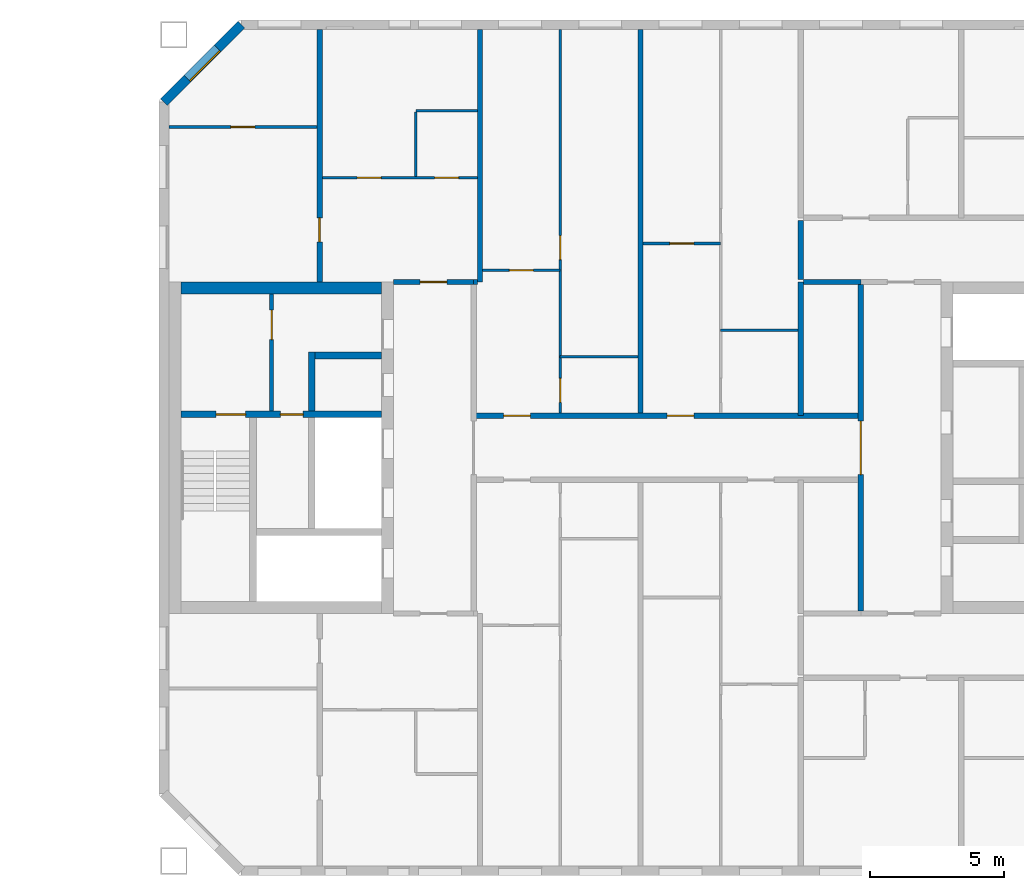
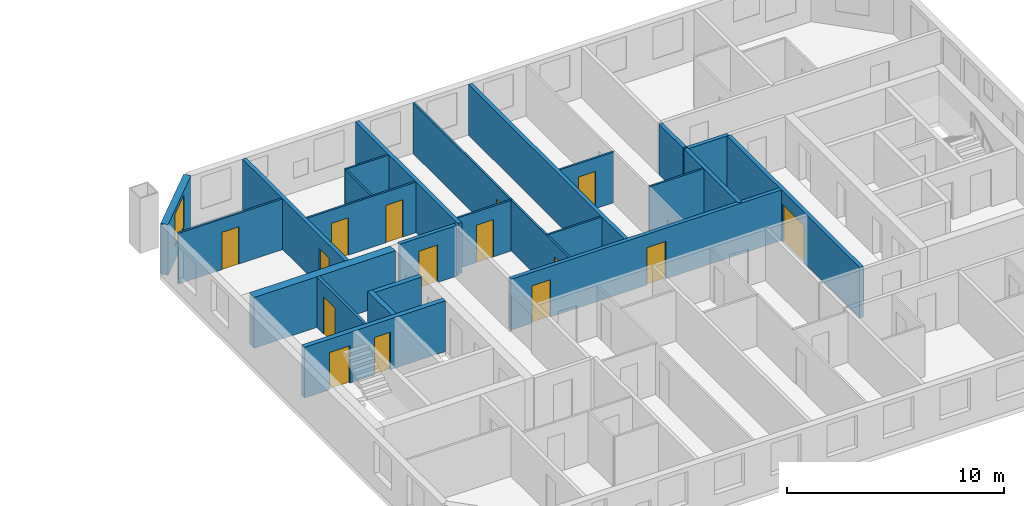
# One storey, part 11 of 16: 25 walls, 15 doors, 1 window, 16 openings.
"""IFC4 building model written with IfcOpenShell, lengths in metres."""

import ifcopenshell
import ifcopenshell.guid

model = None  # the IFC model being written
_history = None  # IfcOwnerHistory: only IFC2X3 demands one
_inside = {}  # id of a spatial element -> (the spatial element, [elements in it])
_under = {}  # id of a project, library or spatial element -> (it, [spatial elements below it])
_declared = {}  # id of a project -> (the project, [libraries it declares])
_typed = {}  # id of a type object -> (the type object, [elements of that type])
_made_of = {}  # id of a material, layer set ... -> (it, [elements and type objects made of it])


def new_model(schema):
    """Start an empty IFC model of exactly this schema.

    Asked for "IFC4X3", IfcOpenShell would pick the latest addendum, in which some entities
    have other attributes; the version numbers below select the first issue.
    IFC2X3 requires an IfcOwnerHistory on every rooted entity: one is made here for all.
    """
    global model, _history
    if schema == "IFC4X3":
        model = ifcopenshell.file(schema_version=(4, 3, 0, 0))
    else:
        model = ifcopenshell.file(schema=schema)
    _inside.clear()
    _under.clear()
    _declared.clear()
    _typed.clear()
    _made_of.clear()
    _history = None
    if model.schema == "IFC2X3":
        org = make("IfcOrganization", Name="unknown")
        user = make(
            "IfcPersonAndOrganization",
            ThePerson=make("IfcPerson", FamilyName="unknown"),
            TheOrganization=org,
        )
        app = make(
            "IfcApplication",
            ApplicationDeveloper=org,
            Version="unknown",
            ApplicationFullName="unknown",
            ApplicationIdentifier="unknown",
        )
        _history = make(
            "IfcOwnerHistory",
            OwningUser=user,
            OwningApplication=app,
            ChangeAction="ADDED",
            CreationDate=0,
        )
    return model


def make(cls, **values):
    """One entity of the class cls with the attributes given. An attribute that is None is left unset."""
    return model.create_entity(
        cls, **{name: value for name, value in values.items() if value is not None}
    )


def rooted(cls, **values):
    """An entity with a GlobalId (a new one), such as an element, a storey or a relation."""
    return make(cls, GlobalId=ifcopenshell.guid.new(), OwnerHistory=_history, **values)


def si_unit(unit_type, name, prefix=None):
    """IfcSIUnit, for example si_unit("LENGTHUNIT", "METRE", prefix="MILLI")."""
    return make("IfcSIUnit", UnitType=unit_type, Prefix=prefix, Name=name)


def assignment(units):
    """IfcUnitAssignment: the units of a project."""
    return None if units is None else make("IfcUnitAssignment", Units=units)


def point(xyz):
    """IfcCartesianPoint."""
    return None if xyz is None else make("IfcCartesianPoint", Coordinates=xyz)


def direction(xyz):
    """IfcDirection."""
    return None if xyz is None else make("IfcDirection", DirectionRatios=xyz)


def frame(location, z_axis=None, x_axis=None):
    """IfcAxis2Placement3D, a coordinate frame: its origin and axes. An axis left out is left unset."""
    return make(
        "IfcAxis2Placement3D",
        Location=point(location),
        Axis=direction(z_axis),
        RefDirection=direction(x_axis),
    )


def frame_2d(location, x_axis=None):
    """IfcAxis2Placement2D, a coordinate frame in the plane: its origin and x axis."""
    return make(
        "IfcAxis2Placement2D", Location=point(location), RefDirection=direction(x_axis)
    )


def origin():
    """The frame at (0, 0, 0) with its axes left unset."""
    return frame((0.0, 0.0, 0.0))


def place(relative_to, where):
    """IfcLocalPlacement: puts the frame where relative to a parent placement (None: the world)."""
    return make(
        "IfcLocalPlacement", PlacementRelTo=relative_to, RelativePlacement=where
    )


def context(
    kind, dimensions, precision=None, world=None, true_north=None, identifier=None
):
    """IfcGeometricRepresentationContext, for example the 3D "Model" context."""
    return make(
        "IfcGeometricRepresentationContext",
        ContextIdentifier=identifier,
        ContextType=kind,
        CoordinateSpaceDimension=dimensions,
        Precision=precision,
        WorldCoordinateSystem=world,
        TrueNorth=true_north,
    )


def subcontext(parent, identifier, kind, view, scale=None):
    """IfcGeometricRepresentationSubContext, for example "Body" below "Model"."""
    return make(
        "IfcGeometricRepresentationSubContext",
        ContextIdentifier=identifier,
        ContextType=kind,
        ParentContext=parent,
        TargetScale=scale,
        TargetView=view,
    )


def project(units=None, contexts=None):
    """IfcProject with its units and contexts."""
    return rooted(
        "IfcProject",
        Name="project",
        RepresentationContexts=contexts,
        UnitsInContext=assignment(units),
    )


def spatial(cls, under=None, at=None, **own):
    """A site, building, storey or space (cls), placed at a placement, below another one or the project."""
    s = rooted(cls, ObjectPlacement=at, **own)
    if under is not None:
        _under.setdefault(under.id(), (under, []))[1].append(s)
    return s


def profile(cls, at=None, kind="AREA", **sizes):
    """A parametric profile (cls). Its sizes go by their IFC names, for example OverallWidth=200.0."""
    return make(cls, ProfileType=kind, Position=at, **sizes)


def rectangle(**sizes):
    """IfcRectangleProfileDef."""
    return profile("IfcRectangleProfileDef", **sizes)


def extrude(swept, where, along, depth):
    """IfcExtrudedAreaSolid: the profile swept, set in the frame where, extruded along a direction by depth."""
    return make(
        "IfcExtrudedAreaSolid",
        SweptArea=swept,
        Position=where,
        ExtrudedDirection=direction(along),
        Depth=depth,
    )


def shape(context_of_items, identifier, shape_type, items):
    """IfcShapeRepresentation: the items that make up one representation, for example the "Body"."""
    return make(
        "IfcShapeRepresentation",
        ContextOfItems=context_of_items,
        RepresentationIdentifier=identifier,
        RepresentationType=shape_type,
        Items=items,
    )


def material(Name=None, Category=None):
    """IfcMaterial."""
    return make("IfcMaterial", Name=Name, Category=Category)


def layer(
    of_material, thickness, ventilated=None, Name=None, Category=None, Priority=None
):
    """IfcMaterialLayer: one layer of a wall or slab, of a material (None: an air gap)."""
    return make(
        "IfcMaterialLayer",
        Material=of_material,
        LayerThickness=thickness,
        IsVentilated=ventilated,
        Name=Name,
        Category=Category,
        Priority=Priority,
    )


def layer_set(layers, Name=None):
    """IfcMaterialLayerSet."""
    return make("IfcMaterialLayerSet", MaterialLayers=layers, LayerSetName=Name)


def made_of(thing, what):
    """Note that an element or type object is made of a material, layer set ...; save() writes the relation."""
    if what is not None:
        _made_of.setdefault(what.id(), (what, []))[1].append(thing)
    return thing


def type_object(cls, material=None, **own):
    """A type object (cls), such as IfcWallType, which elements share."""
    return made_of(rooted(cls, **own), material)


def element(
    cls,
    number,
    at=None,
    inside=None,
    cuts=None,
    type_object=None,
    material=None,
    context=None,
    identifier="Body",
    shape_type=None,
    held_by="IfcProductDefinitionShape",
    body=None,
    shapes=None,
    **own,
):
    """One element of the class cls, such as IfcWall. Its Tag is "e" and its number.

    at: its placement. inside: the storey or other place that contains it. cuts: it is an
    opening in that element (IfcRelVoidsElement). A single representation is given by context,
    identifier, shape_type and body (its items); several are given by shapes. held_by: the class
    of the entity that holds the representations. save() writes the other relations.
    """
    e = rooted(cls, Tag="e%d" % number, ObjectPlacement=at, **own)
    if body is not None:
        shapes = [shape(context, identifier, shape_type, body)]
    if shapes is not None:
        e.Representation = make(held_by, Representations=shapes)
    if inside is not None:
        _inside.setdefault(inside.id(), (inside, []))[1].append(e)
    if cuts is not None:
        rooted(
            "IfcRelVoidsElement", RelatingBuildingElement=cuts, RelatedOpeningElement=e
        )
    if type_object is not None:
        _typed.setdefault(type_object.id(), (type_object, []))[1].append(e)
    return made_of(e, material)


def fill(opening, filler):
    """IfcRelFillsElement: the door or window that sits in an opening."""
    return rooted(
        "IfcRelFillsElement",
        RelatingOpeningElement=opening,
        RelatedBuildingElement=filler,
    )


def aggregate(whole, parts):
    """IfcRelAggregates: a whole, such as a stair, and the parts it consists of."""
    return rooted("IfcRelAggregates", RelatingObject=whole, RelatedObjects=parts)


def save(model, path):
    """Write the relations noted so far, then the file.

    IfcRelAggregates (storeys below a building ...), IfcRelContainedInSpatialStructure (elements
    in a storey), IfcRelDefinesByType, IfcRelAssociatesMaterial and IfcRelDeclares: one each for
    every whole, place, type object, material and project.
    """
    for whole, parts in _under.values():
        aggregate(whole, parts)
    for where, things in _inside.values():
        rooted(
            "IfcRelContainedInSpatialStructure",
            RelatedElements=things,
            RelatingStructure=where,
        )
    for kind, things in _typed.values():
        rooted("IfcRelDefinesByType", RelatedObjects=things, RelatingType=kind)
    for what, things in _made_of.values():
        rooted("IfcRelAssociatesMaterial", RelatedObjects=things, RelatingMaterial=what)
    for by, libraries in _declared.values():
        rooted("IfcRelDeclares", RelatingContext=by, RelatedDefinitions=libraries)
    model.write(path)


model = new_model("IFC4")

# Units and contexts
model_context = context("Model", 3, precision=1e-05, world=origin(), true_north=direction((0.0, 1.0)))
body_context = subcontext(model_context, "Body", "Model", "MODEL_VIEW")
ifc_project = project(units=[si_unit("LENGTHUNIT", "METRE"), si_unit("AREAUNIT", "SQUARE_METRE"), si_unit("VOLUMEUNIT", "CUBIC_METRE"), si_unit("PLANEANGLEUNIT", "RADIAN"), si_unit("MASSUNIT", "GRAM", prefix="KILO")], contexts=[model_context])

# Site, building, storey
site_placement = place(None, origin())
site = spatial("IfcSite", under=ifc_project, at=site_placement, CompositionType="ELEMENT")
building_placement = place(site_placement, origin())
building = spatial("IfcBuilding", under=site, at=building_placement, Name="Tuart Gate Housing", CompositionType="ELEMENT")
storey_placement = place(building_placement, frame((0.0, 0.0, 178.89990234375)))
storey = spatial("IfcBuildingStorey", under=building, at=storey_placement, Name="L50", CompositionType="ELEMENT", Elevation=178.89990234375)

# Wall, opening, window
ifc_material_1 = material(Name="Brick", Category="masonry")
ifc_layer_1 = layer(ifc_material_1, 0.360107421875)
ifc_layer_set_1 = layer_set([ifc_layer_1], Name="Brick pier and spandrel wall 360")
wall_type_1 = type_object("IfcWallType", Name="Brick pier and spandrel wall 360", PredefinedType="STANDARD", material=ifc_layer_set_1)
wall_1_placement = place(storey_placement, frame((134.07470703125, 85.820068359375, 0.0), z_axis=(0.0, 0.0, 1.0), x_axis=(-0.707106781187, -0.707106781187, 0.0)))
wall_1 = element("IfcWall", 1, at=wall_1_placement, inside=storey, type_object=wall_type_1, Name="External wall B-NW L50", PredefinedType="STANDARD", context=body_context, shape_type="SweptSolid", body=[
    extrude(rectangle(XDim=4.09375, YDim=0.360107421875, at=frame_2d((2.046875, 0.0))), origin(), (0.0, 0.0, 1.0), 2.85009765625),
])
opening_1_placement = place(wall_1_placement, frame((1.2470703125, 0.0, 0.800048828125)))
opening_1 = element("IfcOpeningElement", 2, at=opening_1_placement, cuts=wall_1, Name="Opening W1", PredefinedType="OPENING", context=body_context, shape_type="SweptSolid", body=[
    extrude(rectangle(XDim=1.60009765625, YDim=1.800048828125, at=frame_2d((0.800048828125, 0.89990234375))), frame((0.0, 0.18994140625, 0.0), z_axis=(0.0, -1.0, 0.0), x_axis=(1.0, 0.0, 0.0)), (0.0, 0.0, 1.0), 0.380126953125),
])
ifc_material_2 = material(Name="Aluminium frame with clear glass", Category="aluminium")
window_type = type_object("IfcWindowType", Name="Punched window 1600 x 1800", PartitioningType="SINGLE_PANEL", PredefinedType="WINDOW", material=ifc_material_2)
window_placement = place(opening_1_placement, origin())
window = element("IfcWindow", 3, at=window_placement, inside=storey, type_object=window_type, Name="Window W1", OverallHeight=1.800048828125, OverallWidth=1.60009765625, PartitioningType="SINGLE_PANEL", PredefinedType="WINDOW", context=body_context, shape_type="SweptSolid", body=[
    extrude(rectangle(XDim=1.60009765625, YDim=1.800048828125, at=frame_2d((0.800048828125, 0.89990234375))), frame((0.0, 0.150146484375, 0.0), z_axis=(0.0, -1.0, 0.0), x_axis=(1.0, 0.0, 0.0)), (0.0, 0.0, 1.0), 0.06005859375),
])
fill(opening_1, window)

# Wall, opening, door
ifc_material_3 = material(Name="Plasterboard partition")
ifc_layer_2 = layer(ifc_material_3, 0.14990234375)
ifc_layer_set_2 = layer_set([ifc_layer_2], Name="Core partition 150")
wall_type_2 = type_object("IfcWallType", Name="Core partition 150", PredefinedType="PARTITIONING", material=ifc_layer_set_2)
wall_2_placement = place(storey_placement, frame((135.2099609375, 71.375, 0.0), z_axis=(0.0, 0.0, 1.0), x_axis=(0.0, 1.0, 0.0)))
wall_2 = element("IfcWall", 4, at=wall_2_placement, inside=storey, type_object=wall_type_2, Name="Core partition BG.6", PredefinedType="PARTITIONING", context=body_context, shape_type="SweptSolid", body=[
    extrude(rectangle(XDim=4.375, YDim=0.14990234375, at=frame_2d((2.1875, 0.0))), origin(), (0.0, 0.0, 1.0), 2.85009765625),
])
opening_2_placement = place(wall_2_placement, frame((2.675048828125, 0.0, 0.0)))
opening_2 = element("IfcOpeningElement", 5, at=opening_2_placement, cuts=wall_2, Name="Opening D1807", PredefinedType="OPENING", context=body_context, shape_type="SweptSolid", body=[
    extrude(rectangle(XDim=1.10009765625, YDim=2.10009765625, at=frame_2d((0.550048828125, 1.050048828125))), frame((0.0, 0.0849609375, 0.0), z_axis=(0.0, -1.0, 0.0), x_axis=(1.0, 0.0, 0.0)), (0.0, 0.0, 1.0), 0.169921875),
])
ifc_material_4 = material(Name="Steel fire door", Category="steel")
door_type_1 = type_object("IfcDoorType", Name="Lobby door 1100 x 2100 RH", OperationType="SINGLE_SWING_RIGHT", PredefinedType="DOOR", material=ifc_material_4)
door_1_placement = place(opening_2_placement, origin())
door_1 = element("IfcDoor", 6, at=door_1_placement, inside=storey, type_object=door_type_1, Name="Smoke lobby door BG.KD", OperationType="SINGLE_SWING_RIGHT", OverallHeight=2.10009765625, OverallWidth=1.10009765625, PredefinedType="DOOR", context=body_context, shape_type="SweptSolid", body=[
    extrude(rectangle(XDim=1.10009765625, YDim=2.10009765625, at=frame_2d((0.550048828125, 1.050048828125))), frame((0.0, 0.02490234375, 0.0), z_axis=(0.0, -1.0, 0.0), x_axis=(1.0, 0.0, 0.0)), (0.0, 0.0, 1.0), 0.050048828125),
])
fill(opening_2, door_1)

# Wall, openings, doors
ifc_material_5 = material(Name="Concrete C40", Category="concrete")
ifc_layer_3 = layer(ifc_material_5, 0.25)
ifc_layer_set_3 = layer_set([ifc_layer_3], Name="Core wall 250 C40")
wall_type_3 = type_object("IfcWallType", Name="Core wall 250 C40", PredefinedType="SHEAR", material=ifc_layer_set_3)
wall_3_placement = place(storey_placement, frame((139.31005859375, 71.25, 0.0), z_axis=(0.0, 0.0, 1.0), x_axis=(-1.0, 0.0, 0.0)))
wall_3 = element("IfcWall", 7, at=wall_3_placement, inside=storey, type_object=wall_type_3, Name="Core wall BG.2", PredefinedType="SHEAR", context=body_context, shape_type="SweptSolid", body=[
    extrude(rectangle(XDim=7.5, YDim=0.25, at=frame_2d((3.75, 0.0))), origin(), (0.0, 0.0, 1.0), 2.85009765625),
])
opening_3_placement = place(wall_3_placement, frame((5.074951171875, 0.0, 0.0)))
opening_3 = element("IfcOpeningElement", 8, at=opening_3_placement, cuts=wall_3, Name="Opening D1809", PredefinedType="OPENING", context=body_context, shape_type="SweptSolid", body=[
    extrude(rectangle(XDim=1.10009765625, YDim=2.10009765625, at=frame_2d((0.550048828125, 1.050048828125))), frame((0.0, 0.135009765625, 0.0), z_axis=(0.0, -1.0, 0.0), x_axis=(1.0, 0.0, 0.0)), (0.0, 0.0, 1.0), 0.27001953125),
])
opening_4_placement = place(wall_3_placement, frame((2.925048828125, 0.0, 0.0)))
opening_4 = element("IfcOpeningElement", 9, at=opening_4_placement, cuts=wall_3, Name="Opening D1808", PredefinedType="OPENING", context=body_context, shape_type="SweptSolid", body=[
    extrude(rectangle(XDim=0.85009765625, YDim=2.10009765625, at=frame_2d((0.425048828125, 1.050048828125))), frame((0.0, 0.135009765625, 0.0), z_axis=(0.0, -1.0, 0.0), x_axis=(1.0, 0.0, 0.0)), (0.0, 0.0, 1.0), 0.27001953125),
])
ifc_material_6 = material(Name="Steel fire door", Category="steel")
door_type_2 = type_object("IfcDoorType", Name="Riser door 850 x 2100", OperationType="SINGLE_SWING_LEFT", PredefinedType="DOOR", material=ifc_material_6)
door_2_placement = place(opening_4_placement, origin())
door_2 = element("IfcDoor", 10, at=door_2_placement, inside=storey, type_object=door_type_2, Name="Service room door BG.W1", OperationType="SINGLE_SWING_LEFT", OverallHeight=2.10009765625, OverallWidth=0.85009765625, PredefinedType="DOOR", context=body_context, shape_type="SweptSolid", body=[
    extrude(rectangle(XDim=0.85009765625, YDim=2.10009765625, at=frame_2d((0.425048828125, 1.050048828125))), frame((0.0, 0.02490234375, 0.0), z_axis=(0.0, -1.0, 0.0), x_axis=(1.0, 0.0, 0.0)), (0.0, 0.0, 1.0), 0.050048828125),
])
fill(opening_4, door_2)
ifc_material_7 = material(Name="Steel fire door", Category="steel")
door_type_3 = type_object("IfcDoorType", Name="Stair door 1100 x 2100", OperationType="SINGLE_SWING_LEFT", PredefinedType="DOOR", material=ifc_material_7)
door_3_placement = place(opening_3_placement, origin())
door_3 = element("IfcDoor", 11, at=door_3_placement, inside=storey, type_object=door_type_3, Name="Stair door BG.SD", OperationType="SINGLE_SWING_LEFT", OverallHeight=2.10009765625, OverallWidth=1.10009765625, PredefinedType="DOOR", context=body_context, shape_type="SweptSolid", body=[
    extrude(rectangle(XDim=1.10009765625, YDim=2.10009765625, at=frame_2d((0.550048828125, 1.050048828125))), frame((0.0, 0.02490234375, 0.0), z_axis=(0.0, -1.0, 0.0), x_axis=(1.0, 0.0, 0.0)), (0.0, 0.0, 1.0), 0.050048828125),
])
fill(opening_3, door_3)

# Walls
wall_4_placement = place(storey_placement, frame((139.31005859375, 73.449951171875, 0.0), z_axis=(0.0, 0.0, 1.0), x_axis=(-1.0, 0.0, 0.0)))
element("IfcWall", 12, at=wall_4_placement, inside=storey, type_object=wall_type_3, Name="Core wall BG.3", PredefinedType="SHEAR", context=body_context, shape_type="SweptSolid", body=[
    extrude(rectangle(XDim=2.47509765625, YDim=0.25, at=frame_2d((1.237548828125, 0.0))), origin(), (0.0, 0.0, 1.0), 2.85009765625),
])
wall_5_placement = place(storey_placement, frame((136.7099609375, 71.375, 0.0), z_axis=(0.0, 0.0, 1.0), x_axis=(0.0, 1.0, 0.0)))
element("IfcWall", 13, at=wall_5_placement, inside=storey, type_object=wall_type_3, Name="Core wall BG.5", PredefinedType="SHEAR", context=body_context, shape_type="SweptSolid", body=[
    extrude(rectangle(XDim=2.199951171875, YDim=0.25, at=frame_2d((1.10009765625, 0.0))), origin(), (0.0, 0.0, 1.0), 2.85009765625),
])
ifc_material_8 = material(Name="Concrete C40", Category="concrete")
ifc_layer_4 = layer(ifc_material_8, 0.449951171875)
ifc_layer_set_4 = layer_set([ifc_layer_4], Name="Core wall 450 C40")
wall_type_4 = type_object("IfcWallType", Name="Core wall 450 C40", PredefinedType="SHEAR", material=ifc_layer_set_4)
wall_6_placement = place(storey_placement, frame((139.31005859375, 75.97509765625, 0.0), z_axis=(0.0, 0.0, 1.0), x_axis=(-1.0, 0.0, 0.0)))
element("IfcWall", 14, at=wall_6_placement, inside=storey, type_object=wall_type_4, Name="Core wall BG north", PredefinedType="SHEAR", context=body_context, shape_type="SweptSolid", body=[
    extrude(rectangle(XDim=7.5, YDim=0.449951171875, at=frame_2d((3.75, 0.0))), origin(), (0.0, 0.0, 1.0), 2.85009765625),
])

# Wall, openings, doors
ifc_material_9 = material(Name="Concrete masonry 15 MPa", Category="masonry")
ifc_layer_5 = layer(ifc_material_9, 0.199951171875)
ifc_layer_set_5 = layer_set([ifc_layer_5], Name="Corridor wall masonry 200")
wall_type_5 = type_object("IfcWallType", Name="Corridor wall masonry 200", PredefinedType="PARTITIONING", material=ifc_layer_set_5)
wall_7_placement = place(storey_placement, frame((142.760009765625, 71.199951171875, 0.0), z_axis=(0.0, 0.0, 1.0), x_axis=(1.0, 0.0, 0.0)))
wall_7 = element("IfcWall", 15, at=wall_7_placement, inside=storey, type_object=wall_type_5, Name="Corridor wall masonry 200", PredefinedType="PARTITIONING", context=body_context, shape_type="SweptSolid", body=[
    extrude(rectangle(XDim=14.47998046875, YDim=0.199951171875, at=frame_2d((7.239990234375, 0.0))), origin(), (0.0, 0.0, 1.0), 2.85009765625),
])
opening_5_placement = place(wall_7_placement, frame((1.1201171875, 0.0, 0.0)))
opening_5 = element("IfcOpeningElement", 16, at=opening_5_placement, cuts=wall_7, Name="Opening D1810", PredefinedType="OPENING", context=body_context, shape_type="SweptSolid", body=[
    extrude(rectangle(XDim=1.0, YDim=2.10009765625, at=frame_2d((0.5, 1.050048828125))), frame((0.0, 0.10986328125, 0.0), z_axis=(0.0, -1.0, 0.0), x_axis=(1.0, 0.0, 0.0)), (0.0, 0.0, 1.0), 0.219970703125),
])
opening_6_placement = place(wall_7_placement, frame((7.239990234375, 0.0, 0.0)))
opening_6 = element("IfcOpeningElement", 17, at=opening_6_placement, cuts=wall_7, Name="Opening D1811", PredefinedType="OPENING", context=body_context, shape_type="SweptSolid", body=[
    extrude(rectangle(XDim=1.0, YDim=2.10009765625, at=frame_2d((0.5, 1.050048828125))), frame((0.0, 0.10986328125, 0.0), z_axis=(0.0, -1.0, 0.0), x_axis=(1.0, 0.0, 0.0)), (0.0, 0.0, 1.0), 0.219970703125),
])
ifc_material_10 = material(Name="Timber door leaf in steel frame", Category="steel")
door_type_4 = type_object("IfcDoorType", Name="Flat entrance door 1000", OperationType="SINGLE_SWING_LEFT", PredefinedType="DOOR", material=ifc_material_10)
door_4_placement = place(opening_5_placement, origin())
door_4 = element("IfcDoor", 18, at=door_4_placement, inside=storey, type_object=door_type_4, Name="Flat entrance door", OperationType="SINGLE_SWING_LEFT", OverallHeight=2.10009765625, OverallWidth=1.0, PredefinedType="DOOR", context=body_context, shape_type="SweptSolid", body=[
    extrude(rectangle(XDim=1.0, YDim=2.10009765625, at=frame_2d((0.5, 1.050048828125))), frame((0.0, 0.02490234375, 0.0), z_axis=(0.0, -1.0, 0.0), x_axis=(1.0, 0.0, 0.0)), (0.0, 0.0, 1.0), 0.050048828125),
])
fill(opening_5, door_4)
door_5_placement = place(opening_6_placement, origin())
door_5 = element("IfcDoor", 19, at=door_5_placement, inside=storey, type_object=door_type_4, Name="Flat entrance door", OperationType="SINGLE_SWING_LEFT", OverallHeight=2.10009765625, OverallWidth=1.0, PredefinedType="DOOR", context=body_context, shape_type="SweptSolid", body=[
    extrude(rectangle(XDim=1.0, YDim=2.10009765625, at=frame_2d((0.5, 1.050048828125))), frame((0.0, 0.02490234375, 0.0), z_axis=(0.0, -1.0, 0.0), x_axis=(1.0, 0.0, 0.0)), (0.0, 0.0, 1.0), 0.050048828125),
])
fill(opening_6, door_5)

# Walls
wall_8_placement = place(storey_placement, frame((155.10009765625, 76.199951171875, 0.0), z_axis=(0.0, 0.0, 1.0), x_axis=(1.0, 0.0, 0.0)))
element("IfcWall", 20, at=wall_8_placement, inside=storey, type_object=wall_type_5, Name="Corridor wall masonry 200", PredefinedType="PARTITIONING", context=body_context, shape_type="SweptSolid", body=[
    extrude(rectangle(XDim=2.139892578125, YDim=0.199951171875, at=frame_2d((1.06982421875, 0.0))), origin(), (0.0, 0.0, 1.0), 2.85009765625),
])
wall_9_placement = place(storey_placement, frame((155.0, 76.300048828125, 0.0), z_axis=(0.0, 0.0, 1.0), x_axis=(0.0, 1.0, 0.0)))
element("IfcWall", 21, at=wall_9_placement, inside=storey, type_object=wall_type_5, Name="Corridor wall masonry 200", PredefinedType="PARTITIONING", context=body_context, shape_type="SweptSolid", body=[
    extrude(rectangle(XDim=2.199951171875, YDim=0.199951171875, at=frame_2d((1.10009765625, 0.0))), origin(), (0.0, 0.0, 1.0), 2.85009765625),
])

# Wall, opening, door
ifc_material_11 = material(Name="Concrete masonry 15 MPa", Category="masonry")
ifc_layer_6 = layer(ifc_material_11, 0.199951171875)
ifc_layer_set_6 = layer_set([ifc_layer_6], Name="Enclosure wall masonry 200")
wall_type_6 = type_object("IfcWallType", Name="Enclosure wall masonry 200", PredefinedType="PARTITIONING", material=ifc_layer_set_6)
wall_10_placement = place(storey_placement, frame((139.760009765625, 76.199951171875, 0.0), z_axis=(0.0, 0.0, 1.0), x_axis=(1.0, 0.0, 0.0)))
wall_10 = element("IfcWall", 22, at=wall_10_placement, inside=storey, type_object=wall_type_6, Name="Enclosure wall masonry 200", PredefinedType="PARTITIONING", context=body_context, shape_type="SweptSolid", body=[
    extrude(rectangle(XDim=3.0, YDim=0.199951171875, at=frame_2d((1.5, 0.0))), origin(), (0.0, 0.0, 1.0), 2.85009765625),
])
opening_7_placement = place(wall_10_placement, frame((1.0, 0.0, 0.0)))
opening_7 = element("IfcOpeningElement", 23, at=opening_7_placement, cuts=wall_10, Name="Opening D1805", PredefinedType="OPENING", context=body_context, shape_type="SweptSolid", body=[
    extrude(rectangle(XDim=1.0, YDim=2.10009765625, at=frame_2d((0.5, 1.050048828125))), frame((0.0, 0.10986328125, 0.0), z_axis=(0.0, -1.0, 0.0), x_axis=(1.0, 0.0, 0.0)), (0.0, 0.0, 1.0), 0.219970703125),
])
ifc_material_12 = material(Name="Timber door leaf in steel frame", Category="steel")
door_type_5 = type_object("IfcDoorType", Name="Flat entrance door 1000 RH", OperationType="SINGLE_SWING_RIGHT", PredefinedType="DOOR", material=ifc_material_12)
door_6_placement = place(opening_7_placement, origin())
door_6 = element("IfcDoor", 24, at=door_6_placement, inside=storey, type_object=door_type_5, Name="Flat entrance door", OperationType="SINGLE_SWING_RIGHT", OverallHeight=2.10009765625, OverallWidth=1.0, PredefinedType="DOOR", context=body_context, shape_type="SweptSolid", body=[
    extrude(rectangle(XDim=1.0, YDim=2.10009765625, at=frame_2d((0.5, 1.050048828125))), frame((0.0, 0.02490234375, 0.0), z_axis=(0.0, -1.0, 0.0), x_axis=(1.0, 0.0, 0.0)), (0.0, 0.0, 1.0), 0.050048828125),
])
fill(opening_7, door_6)

ifc_material_13 = material(Name="Plasterboard partition")
ifc_layer_7 = layer(ifc_material_13, 0.199951171875)
ifc_layer_set_7 = layer_set([ifc_layer_7], Name="Lobby wall 200")
wall_type_7 = type_object("IfcWallType", Name="Lobby wall 200", PredefinedType="PARTITIONING", material=ifc_layer_set_7)
wall_11_placement = place(storey_placement, frame((157.239990234375, 63.89990234375, 0.0), z_axis=(0.0, 0.0, 1.0), x_axis=(0.0, 1.0, 0.0)))
wall_11 = element("IfcWall", 25, at=wall_11_placement, inside=storey, type_object=wall_type_7, Name="Lift lobby wall BK", PredefinedType="PARTITIONING", context=body_context, shape_type="SweptSolid", body=[
    extrude(rectangle(XDim=12.2001953125, YDim=0.199951171875, at=frame_2d((6.10009765625, 0.0))), origin(), (0.0, 0.0, 1.0), 2.85009765625),
])
opening_8_placement = place(wall_11_placement, frame((5.10009765625, 0.0, 0.0)))
opening_8 = element("IfcOpeningElement", 26, at=opening_8_placement, cuts=wall_11, Name="Opening D1816", PredefinedType="OPENING", context=body_context, shape_type="SweptSolid", body=[
    extrude(rectangle(XDim=2.0, YDim=2.10009765625, at=frame_2d((1.0, 1.050048828125))), frame((0.0, 0.10986328125, 0.0), z_axis=(0.0, -1.0, 0.0), x_axis=(1.0, 0.0, 0.0)), (0.0, 0.0, 1.0), 0.219970703125),
])
ifc_material_14 = material(Name="Steel fire door", Category="steel")
door_type_6 = type_object("IfcDoorType", Name="Smoke door 2000 x 2100", OperationType="DOUBLE_DOOR_SINGLE_SWING", PredefinedType="DOOR", material=ifc_material_14)
door_7_placement = place(opening_8_placement, frame((2.0, 0.0, 0.0), z_axis=(0.0, 0.0, 1.0), x_axis=(-1.0, 0.0, 0.0)))
door_7 = element("IfcDoor", 27, at=door_7_placement, inside=storey, type_object=door_type_6, Name="Lift lobby smoke door BK", OperationType="DOUBLE_DOOR_SINGLE_SWING", OverallHeight=2.10009765625, OverallWidth=2.0, PredefinedType="DOOR", context=body_context, shape_type="SweptSolid", body=[
    extrude(rectangle(XDim=2.0, YDim=2.10009765625, at=frame_2d((1.0, 1.050048828125))), frame((0.0, 0.025146484375, 0.0), z_axis=(0.0, -1.0, 0.0), x_axis=(1.0, 0.0, 0.0)), (0.0, 0.0, 1.0), 0.050048828125),
])
fill(opening_8, door_7)

# Walls
ifc_material_15 = material(Name="Gypsum board on steel studs", Category="steel")
ifc_layer_8 = layer(ifc_material_15, 0.10009765625)
ifc_layer_set_8 = layer_set([ifc_layer_8], Name="Partition 100")
wall_type_8 = type_object("IfcWallType", Name="Partition 100", PredefinedType="PARTITIONING", material=ifc_layer_set_8)
for number, where, z_axis, x_axis, name in (
    (28, (146.0, 73.39990234375, 0.0), (0.0, 0.0, 1.0), (1.0, 0.0, 0.0), "Partition 100"),
    (29, (152.0, 74.39990234375, 0.0), (0.0, 0.0, 1.0), (1.0, 0.0, 0.0), "Partition 100"),
):
    element("IfcWall", number, at=place(storey_placement, frame(where, z_axis=z_axis, x_axis=x_axis)), inside=storey, type_object=wall_type_8, Name=name, PredefinedType="PARTITIONING", context=body_context, shape_type="SweptSolid", body=[
        extrude(rectangle(XDim=2.89990234375, YDim=0.10009765625, at=frame_2d((1.449951171875, 0.0))), origin(), (0.0, 0.0, 1.0), 2.85009765625),
    ])

# Wall, opening, door
wall_12_placement = place(storey_placement, frame((143.10009765625, 76.639892578125, 0.0), z_axis=(0.0, 0.0, 1.0), x_axis=(1.0, 0.0, 0.0)))
wall_12 = element("IfcWall", 30, at=wall_12_placement, inside=storey, type_object=wall_type_8, Name="Partition 100", PredefinedType="PARTITIONING", context=body_context, shape_type="SweptSolid", body=[
    extrude(rectangle(XDim=2.89990234375, YDim=0.10009765625, at=frame_2d((1.449951171875, 0.0))), origin(), (0.0, 0.0, 1.0), 2.85009765625),
])
opening_9_placement = place(wall_12_placement, frame((1.0, 0.0, 0.0)))
opening_9 = element("IfcOpeningElement", 31, at=opening_9_placement, cuts=wall_12, Name="Opening D1804", PredefinedType="OPENING", context=body_context, shape_type="SweptSolid", body=[
    extrude(rectangle(XDim=0.89990234375, YDim=2.10009765625, at=frame_2d((0.449951171875, 1.050048828125))), frame((0.0, 0.06005859375, 0.0), z_axis=(0.0, -1.0, 0.0), x_axis=(1.0, 0.0, 0.0)), (0.0, 0.0, 1.0), 0.1201171875),
])
ifc_material_16 = material(Name="Timber door leaf in steel frame", Category="steel")
door_type_7 = type_object("IfcDoorType", Name="Internal door 900", OperationType="SINGLE_SWING_LEFT", PredefinedType="DOOR", material=ifc_material_16)
door_8_placement = place(opening_9_placement, frame((0.89990234375, 0.0, 0.0), z_axis=(0.0, 0.0, 1.0), x_axis=(-1.0, 0.0, 0.0)))
door_8 = element("IfcDoor", 32, at=door_8_placement, inside=storey, type_object=door_type_7, Name="Internal door", OperationType="SINGLE_SWING_LEFT", OverallHeight=2.10009765625, OverallWidth=0.89990234375, PredefinedType="DOOR", context=body_context, shape_type="SweptSolid", body=[
    extrude(rectangle(XDim=0.89990234375, YDim=2.10009765625, at=frame_2d((0.449951171875, 1.050048828125))), frame((0.0, 0.025146484375, 0.0), z_axis=(0.0, -1.0, 0.0), x_axis=(1.0, 0.0, 0.0)), (0.0, 0.0, 1.0), 0.050048828125),
])
fill(opening_9, door_8)

wall_13_placement = place(storey_placement, frame((149.10009765625, 77.639892578125, 0.0), z_axis=(0.0, 0.0, 1.0), x_axis=(1.0, 0.0, 0.0)))
wall_13 = element("IfcWall", 33, at=wall_13_placement, inside=storey, type_object=wall_type_8, Name="Partition 100", PredefinedType="PARTITIONING", context=body_context, shape_type="SweptSolid", body=[
    extrude(rectangle(XDim=2.89990234375, YDim=0.10009765625, at=frame_2d((1.449951171875, 0.0))), origin(), (0.0, 0.0, 1.0), 2.85009765625),
])
opening_10_placement = place(wall_13_placement, frame((1.0, 0.0, 0.0)))
opening_10 = element("IfcOpeningElement", 34, at=opening_10_placement, cuts=wall_13, Name="Opening D1803", PredefinedType="OPENING", context=body_context, shape_type="SweptSolid", body=[
    extrude(rectangle(XDim=0.89990234375, YDim=2.10009765625, at=frame_2d((0.449951171875, 1.050048828125))), frame((0.0, 0.06005859375, 0.0), z_axis=(0.0, -1.0, 0.0), x_axis=(1.0, 0.0, 0.0)), (0.0, 0.0, 1.0), 0.1201171875),
])
door_9_placement = place(opening_10_placement, frame((0.89990234375, 0.0, 0.0), z_axis=(0.0, 0.0, 1.0), x_axis=(-1.0, 0.0, 0.0)))
door_9 = element("IfcDoor", 35, at=door_9_placement, inside=storey, type_object=door_type_7, Name="Internal door", OperationType="SINGLE_SWING_LEFT", OverallHeight=2.10009765625, OverallWidth=0.89990234375, PredefinedType="DOOR", context=body_context, shape_type="SweptSolid", body=[
    extrude(rectangle(XDim=0.89990234375, YDim=2.10009765625, at=frame_2d((0.449951171875, 1.050048828125))), frame((0.0, 0.025146484375, 0.0), z_axis=(0.0, -1.0, 0.0), x_axis=(1.0, 0.0, 0.0)), (0.0, 0.0, 1.0), 0.050048828125),
])
fill(opening_10, door_9)

# Wall, openings, doors
wall_14_placement = place(storey_placement, frame((137.10009765625, 80.10009765625, 0.0), z_axis=(0.0, 0.0, 1.0), x_axis=(1.0, 0.0, 0.0)))
wall_14 = element("IfcWall", 36, at=wall_14_placement, inside=storey, type_object=wall_type_8, Name="Partition 100", PredefinedType="PARTITIONING", context=body_context, shape_type="SweptSolid", body=[
    extrude(rectangle(XDim=5.7998046875, YDim=0.10009765625, at=frame_2d((2.89990234375, 0.0))), origin(), (0.0, 0.0, 1.0), 2.85009765625),
])
opening_11_placement = place(wall_14_placement, frame((1.300048828125, 0.0, 0.0)))
opening_11 = element("IfcOpeningElement", 37, at=opening_11_placement, cuts=wall_14, Name="Opening D1796", PredefinedType="OPENING", context=body_context, shape_type="SweptSolid", body=[
    extrude(rectangle(XDim=0.89990234375, YDim=2.10009765625, at=frame_2d((0.449951171875, 1.050048828125))), frame((0.0, 0.06005859375, 0.0), z_axis=(0.0, -1.0, 0.0), x_axis=(1.0, 0.0, 0.0)), (0.0, 0.0, 1.0), 0.1201171875),
])
opening_12_placement = place(wall_14_placement, frame((4.199951171875, 0.0, 0.0)))
opening_12 = element("IfcOpeningElement", 38, at=opening_12_placement, cuts=wall_14, Name="Opening D1795", PredefinedType="OPENING", context=body_context, shape_type="SweptSolid", body=[
    extrude(rectangle(XDim=0.89990234375, YDim=2.10009765625, at=frame_2d((0.449951171875, 1.050048828125))), frame((0.0, 0.06005859375, 0.0), z_axis=(0.0, -1.0, 0.0), x_axis=(1.0, 0.0, 0.0)), (0.0, 0.0, 1.0), 0.1201171875),
])
ifc_material_17 = material(Name="Timber door leaf in steel frame", Category="steel")
door_type_8 = type_object("IfcDoorType", Name="Bathroom door 900", OperationType="SINGLE_SWING_LEFT", PredefinedType="DOOR", material=ifc_material_17)
door_10_placement = place(opening_12_placement, origin())
door_10 = element("IfcDoor", 39, at=door_10_placement, inside=storey, type_object=door_type_8, Name="Bathroom door", OperationType="SINGLE_SWING_LEFT", OverallHeight=2.10009765625, OverallWidth=0.89990234375, PredefinedType="DOOR", context=body_context, shape_type="SweptSolid", body=[
    extrude(rectangle(XDim=0.89990234375, YDim=2.10009765625, at=frame_2d((0.449951171875, 1.050048828125))), frame((0.0, 0.02490234375, 0.0), z_axis=(0.0, -1.0, 0.0), x_axis=(1.0, 0.0, 0.0)), (0.0, 0.0, 1.0), 0.050048828125),
])
fill(opening_12, door_10)
ifc_material_18 = material(Name="Timber door leaf in steel frame", Category="steel")
door_type_9 = type_object("IfcDoorType", Name="Internal door 900 RH", OperationType="SINGLE_SWING_RIGHT", PredefinedType="DOOR", material=ifc_material_18)
door_11_placement = place(opening_11_placement, origin())
door_11 = element("IfcDoor", 40, at=door_11_placement, inside=storey, type_object=door_type_9, Name="Internal door", OperationType="SINGLE_SWING_RIGHT", OverallHeight=2.10009765625, OverallWidth=0.89990234375, PredefinedType="DOOR", context=body_context, shape_type="SweptSolid", body=[
    extrude(rectangle(XDim=0.89990234375, YDim=2.10009765625, at=frame_2d((0.449951171875, 1.050048828125))), frame((0.0, 0.02490234375, 0.0), z_axis=(0.0, -1.0, 0.0), x_axis=(1.0, 0.0, 0.0)), (0.0, 0.0, 1.0), 0.050048828125),
])
fill(opening_11, door_11)

# Wall, opening, door
wall_15_placement = place(storey_placement, frame((131.360107421875, 82.0, 0.0), z_axis=(0.0, 0.0, 1.0), x_axis=(1.0, 0.0, 0.0)))
wall_15 = element("IfcWall", 41, at=wall_15_placement, inside=storey, type_object=wall_type_8, Name="Partition 100", PredefinedType="PARTITIONING", context=body_context, shape_type="SweptSolid", body=[
    extrude(rectangle(XDim=5.539794921875, YDim=0.10009765625, at=frame_2d((2.77001953125, 0.0))), origin(), (0.0, 0.0, 1.0), 2.85009765625),
])
opening_13_placement = place(wall_15_placement, frame((2.320068359375, 0.0, 0.0)))
opening_13 = element("IfcOpeningElement", 42, at=opening_13_placement, cuts=wall_15, Name="Opening D1791", PredefinedType="OPENING", context=body_context, shape_type="SweptSolid", body=[
    extrude(rectangle(XDim=0.89990234375, YDim=2.10009765625, at=frame_2d((0.449951171875, 1.050048828125))), frame((0.0, 0.06005859375, 0.0), z_axis=(0.0, -1.0, 0.0), x_axis=(1.0, 0.0, 0.0)), (0.0, 0.0, 1.0), 0.1201171875),
])
door_12_placement = place(opening_13_placement, origin())
door_12 = element("IfcDoor", 43, at=door_12_placement, inside=storey, type_object=door_type_7, Name="Internal door", OperationType="SINGLE_SWING_LEFT", OverallHeight=2.10009765625, OverallWidth=0.89990234375, PredefinedType="DOOR", context=body_context, shape_type="SweptSolid", body=[
    extrude(rectangle(XDim=0.89990234375, YDim=2.10009765625, at=frame_2d((0.449951171875, 1.050048828125))), frame((0.0, 0.02490234375, 0.0), z_axis=(0.0, -1.0, 0.0), x_axis=(1.0, 0.0, 0.0)), (0.0, 0.0, 1.0), 0.050048828125),
])
fill(opening_13, door_12)

# Walls
wall_16_placement = place(storey_placement, frame((140.60009765625, 82.60009765625, 0.0), z_axis=(0.0, 0.0, 1.0), x_axis=(1.0, 0.0, 0.0)))
element("IfcWall", 44, at=wall_16_placement, inside=storey, type_object=wall_type_8, Name="Partition 100", PredefinedType="PARTITIONING", context=body_context, shape_type="SweptSolid", body=[
    extrude(rectangle(XDim=2.2998046875, YDim=0.10009765625, at=frame_2d((1.14990234375, 0.0))), origin(), (0.0, 0.0, 1.0), 2.85009765625),
])
wall_17_placement = place(storey_placement, frame((140.60009765625, 80.14990234375, 0.0), z_axis=(0.0, 0.0, 1.0), x_axis=(0.0, 1.0, 0.0)))
element("IfcWall", 45, at=wall_17_placement, inside=storey, type_object=wall_type_8, Name="Partition 100", PredefinedType="PARTITIONING", context=body_context, shape_type="SweptSolid", body=[
    extrude(rectangle(XDim=2.400146484375, YDim=0.10009765625, at=frame_2d((1.2001953125, 0.0))), origin(), (0.0, 0.0, 1.0), 2.85009765625),
])

# Wall, openings, doors
wall_18_placement = place(storey_placement, frame((146.0, 71.300048828125, 0.0), z_axis=(0.0, 0.0, 1.0), x_axis=(0.0, 1.0, 0.0)))
wall_18 = element("IfcWall", 46, at=wall_18_placement, inside=storey, type_object=wall_type_8, Name="Partition 100", PredefinedType="PARTITIONING", context=body_context, shape_type="SweptSolid", body=[
    extrude(rectangle(XDim=14.33984375, YDim=0.10009765625, at=frame_2d((7.169921875, 0.0))), origin(), (0.0, 0.0, 1.0), 2.85009765625),
])
opening_14_placement = place(wall_18_placement, frame((5.739990234375, 0.0, 0.0)))
opening_14 = element("IfcOpeningElement", 47, at=opening_14_placement, cuts=wall_18, Name="Opening D1800", PredefinedType="OPENING", context=body_context, shape_type="SweptSolid", body=[
    extrude(rectangle(XDim=0.89990234375, YDim=2.10009765625, at=frame_2d((0.449951171875, 1.050048828125))), frame((0.0, 0.06005859375, 0.0), z_axis=(0.0, -1.0, 0.0), x_axis=(1.0, 0.0, 0.0)), (0.0, 0.0, 1.0), 0.1201171875),
])
opening_15_placement = place(wall_18_placement, frame((0.39990234375, 0.0, 0.0)))
opening_15 = element("IfcOpeningElement", 48, at=opening_15_placement, cuts=wall_18, Name="Opening D1799", PredefinedType="OPENING", context=body_context, shape_type="SweptSolid", body=[
    extrude(rectangle(XDim=0.89990234375, YDim=2.10009765625, at=frame_2d((0.449951171875, 1.050048828125))), frame((0.0, 0.06005859375, 0.0), z_axis=(0.0, -1.0, 0.0), x_axis=(1.0, 0.0, 0.0)), (0.0, 0.0, 1.0), 0.1201171875),
])
ifc_material_19 = material(Name="Timber door leaf in steel frame", Category="steel")
door_type_10 = type_object("IfcDoorType", Name="Bathroom door 900 RH", OperationType="SINGLE_SWING_RIGHT", PredefinedType="DOOR", material=ifc_material_19)
door_13_placement = place(opening_15_placement, frame((0.89990234375, 0.0, 0.0), z_axis=(0.0, 0.0, 1.0), x_axis=(-1.0, 0.0, 0.0)))
door_13 = element("IfcDoor", 49, at=door_13_placement, inside=storey, type_object=door_type_10, Name="Bathroom door", OperationType="SINGLE_SWING_RIGHT", OverallHeight=2.10009765625, OverallWidth=0.89990234375, PredefinedType="DOOR", context=body_context, shape_type="SweptSolid", body=[
    extrude(rectangle(XDim=0.89990234375, YDim=2.10009765625, at=frame_2d((0.449951171875, 1.050048828125))), frame((0.0, 0.025146484375, 0.0), z_axis=(0.0, -1.0, 0.0), x_axis=(1.0, 0.0, 0.0)), (0.0, 0.0, 1.0), 0.050048828125),
])
fill(opening_15, door_13)
door_14_placement = place(opening_14_placement, frame((0.89990234375, 0.0, 0.0), z_axis=(0.0, 0.0, 1.0), x_axis=(-1.0, 0.0, 0.0)))
door_14 = element("IfcDoor", 50, at=door_14_placement, inside=storey, type_object=door_type_9, Name="Internal door", OperationType="SINGLE_SWING_RIGHT", OverallHeight=2.10009765625, OverallWidth=0.89990234375, PredefinedType="DOOR", context=body_context, shape_type="SweptSolid", body=[
    extrude(rectangle(XDim=0.89990234375, YDim=2.10009765625, at=frame_2d((0.449951171875, 1.050048828125))), frame((0.0, 0.025146484375, 0.0), z_axis=(0.0, -1.0, 0.0), x_axis=(1.0, 0.0, 0.0)), (0.0, 0.0, 1.0), 0.050048828125),
])
fill(opening_14, door_14)

# Wall, opening, door
ifc_material_20 = material(Name="Concrete C40", Category="concrete")
ifc_layer_9 = layer(ifc_material_20, 0.199951171875)
ifc_layer_set_9 = layer_set([ifc_layer_9], Name="Party wall concrete C40 200")
wall_type_9 = type_object("IfcWallType", Name="Party wall concrete C40 200", PredefinedType="SOLIDWALL", material=ifc_layer_set_9)
wall_19_placement = place(storey_placement, frame((137.0, 76.199951171875, 0.0), z_axis=(0.0, 0.0, 1.0), x_axis=(0.0, 1.0, 0.0)))
wall_19 = element("IfcWall", 51, at=wall_19_placement, inside=storey, type_object=wall_type_9, Name="Party wall concrete C40 200", PredefinedType="SOLIDWALL", context=body_context, shape_type="SweptSolid", body=[
    extrude(rectangle(XDim=9.43994140625, YDim=0.199951171875, at=frame_2d((4.719970703125, 0.0))), origin(), (0.0, 0.0, 1.0), 2.85009765625),
])
opening_16_placement = place(wall_19_placement, frame((1.5, 0.0, 0.0)))
opening_16 = element("IfcOpeningElement", 52, at=opening_16_placement, cuts=wall_19, Name="Opening D1792", PredefinedType="OPENING", context=body_context, shape_type="SweptSolid", body=[
    extrude(rectangle(XDim=0.89990234375, YDim=2.10009765625, at=frame_2d((0.449951171875, 1.050048828125))), frame((0.0, 0.10986328125, 0.0), z_axis=(0.0, -1.0, 0.0), x_axis=(1.0, 0.0, 0.0)), (0.0, 0.0, 1.0), 0.219970703125),
])
door_15_placement = place(opening_16_placement, frame((0.89990234375, 0.0, 0.0), z_axis=(0.0, 0.0, 1.0), x_axis=(-1.0, 0.0, 0.0)))
door_15 = element("IfcDoor", 53, at=door_15_placement, inside=storey, type_object=door_type_9, Name="Internal door", OperationType="SINGLE_SWING_RIGHT", OverallHeight=2.10009765625, OverallWidth=0.89990234375, PredefinedType="DOOR", context=body_context, shape_type="SweptSolid", body=[
    extrude(rectangle(XDim=0.89990234375, YDim=2.10009765625, at=frame_2d((0.449951171875, 1.050048828125))), frame((0.0, 0.025146484375, 0.0), z_axis=(0.0, -1.0, 0.0), x_axis=(1.0, 0.0, 0.0)), (0.0, 0.0, 1.0), 0.050048828125),
])
fill(opening_16, door_15)

# Walls
wall_20_placement = place(storey_placement, frame((143.0, 76.199951171875, 0.0), z_axis=(0.0, 0.0, 1.0), x_axis=(0.0, 1.0, 0.0)))
element("IfcWall", 54, at=wall_20_placement, inside=storey, type_object=wall_type_9, Name="Party wall concrete C40 200", PredefinedType="SOLIDWALL", context=body_context, shape_type="SweptSolid", body=[
    extrude(rectangle(XDim=9.43994140625, YDim=0.199951171875, at=frame_2d((4.719970703125, 0.0))), origin(), (0.0, 0.0, 1.0), 2.85009765625),
])
wall_21_placement = place(storey_placement, frame((149.0, 71.199951171875, 0.0), z_axis=(0.0, 0.0, 1.0), x_axis=(0.0, 1.0, 0.0)))
element("IfcWall", 55, at=wall_21_placement, inside=storey, type_object=wall_type_9, Name="Party wall concrete C40 200", PredefinedType="SOLIDWALL", context=body_context, shape_type="SweptSolid", body=[
    extrude(rectangle(XDim=14.43994140625, YDim=0.199951171875, at=frame_2d((7.219970703125, 0.0))), origin(), (0.0, 0.0, 1.0), 2.85009765625),
])
wall_22_placement = place(storey_placement, frame((155.0, 71.199951171875, 0.0), z_axis=(0.0, 0.0, 1.0), x_axis=(0.0, 1.0, 0.0)))
element("IfcWall", 56, at=wall_22_placement, inside=storey, type_object=wall_type_9, Name="Party wall concrete C40 200", PredefinedType="SOLIDWALL", context=body_context, shape_type="SweptSolid", body=[
    extrude(rectangle(XDim=5.0, YDim=0.199951171875, at=frame_2d((2.5, 0.0))), origin(), (0.0, 0.0, 1.0), 2.85009765625),
])
ifc_material_21 = material(Name="Concrete masonry 15 MPa", Category="masonry")
ifc_layer_10 = layer(ifc_material_21, 0.199951171875)
ifc_layer_set_10 = layer_set([ifc_layer_10], Name="Party wall masonry 200")
wall_type_10 = type_object("IfcWallType", Name="Party wall masonry 200", PredefinedType="PARTITIONING", material=ifc_layer_set_10)
wall_23_placement = place(storey_placement, frame((142.760009765625, 76.199951171875, 0.0), z_axis=(0.0, 0.0, 1.0), x_axis=(1.0, 0.0, 0.0)))
element("IfcWall", 57, at=wall_23_placement, inside=storey, type_object=wall_type_10, Name="Party wall masonry 200", PredefinedType="PARTITIONING", context=body_context, shape_type="SweptSolid", body=[
    extrude(rectangle(XDim=0.139892578125, YDim=0.199951171875, at=frame_2d((0.06982421875, 0.0))), origin(), (0.0, 0.0, 1.0), 2.85009765625),
])

save(model, "model.ifc")
